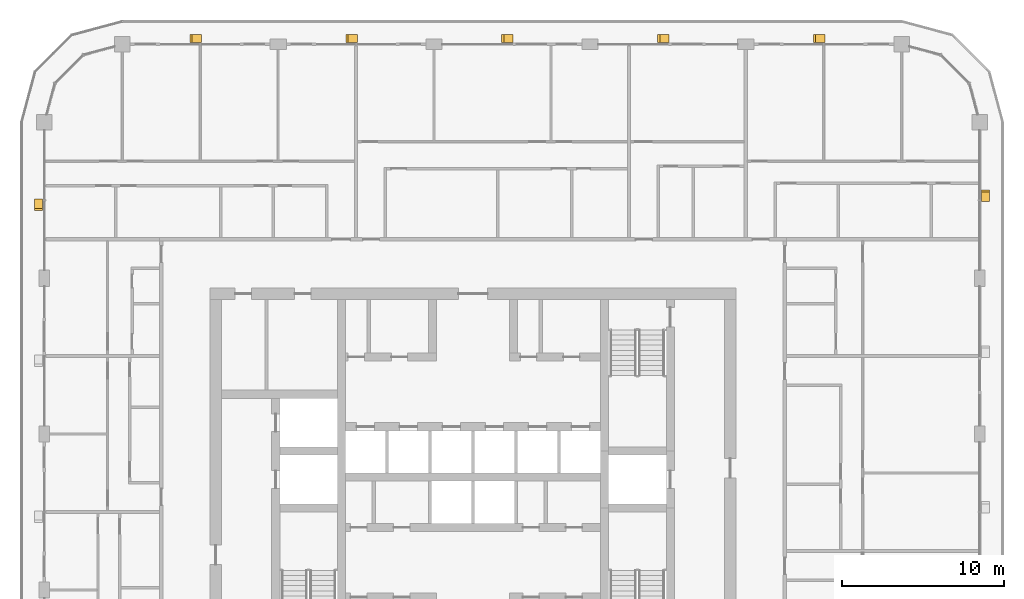
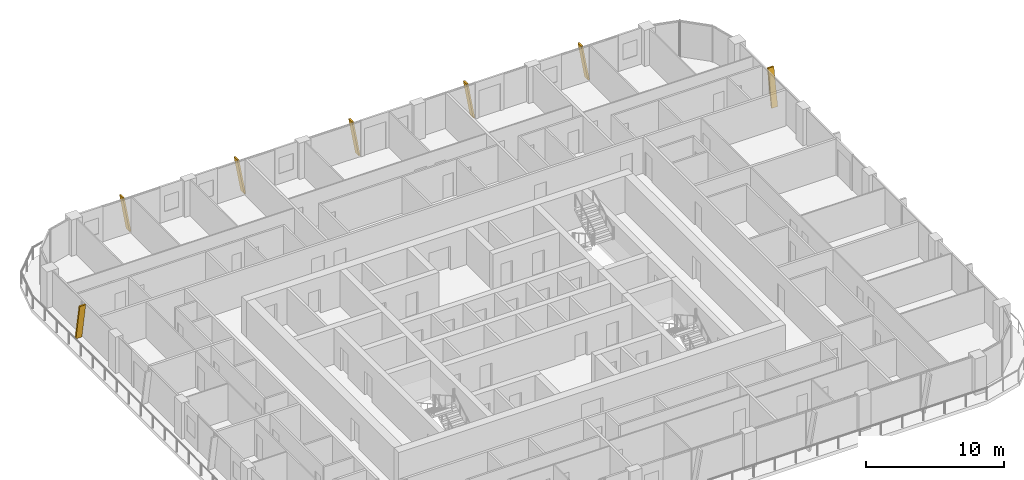
# One storey, part 23 of 23: 7 shading devices.
"""IFC4 building model written with IfcOpenShell, lengths in metres."""

import ifcopenshell
import ifcopenshell.guid

model = None  # the IFC model being written
_history = None  # IfcOwnerHistory: only IFC2X3 demands one
_inside = {}  # id of a spatial element -> (the spatial element, [elements in it])
_under = {}  # id of a project, library or spatial element -> (it, [spatial elements below it])
_declared = {}  # id of a project -> (the project, [libraries it declares])
_typed = {}  # id of a type object -> (the type object, [elements of that type])
_made_of = {}  # id of a material, layer set ... -> (it, [elements and type objects made of it])


def new_model(schema):
    """Start an empty IFC model of exactly this schema.

    Asked for "IFC4X3", IfcOpenShell would pick the latest addendum, in which some entities
    have other attributes; the version numbers below select the first issue.
    IFC2X3 requires an IfcOwnerHistory on every rooted entity: one is made here for all.
    """
    global model, _history
    if schema == "IFC4X3":
        model = ifcopenshell.file(schema_version=(4, 3, 0, 0))
    else:
        model = ifcopenshell.file(schema=schema)
    _inside.clear()
    _under.clear()
    _declared.clear()
    _typed.clear()
    _made_of.clear()
    _history = None
    if model.schema == "IFC2X3":
        org = make("IfcOrganization", Name="unknown")
        user = make(
            "IfcPersonAndOrganization",
            ThePerson=make("IfcPerson", FamilyName="unknown"),
            TheOrganization=org,
        )
        app = make(
            "IfcApplication",
            ApplicationDeveloper=org,
            Version="unknown",
            ApplicationFullName="unknown",
            ApplicationIdentifier="unknown",
        )
        _history = make(
            "IfcOwnerHistory",
            OwningUser=user,
            OwningApplication=app,
            ChangeAction="ADDED",
            CreationDate=0,
        )
    return model


def make(cls, **values):
    """One entity of the class cls with the attributes given. An attribute that is None is left unset."""
    return model.create_entity(
        cls, **{name: value for name, value in values.items() if value is not None}
    )


def rooted(cls, **values):
    """An entity with a GlobalId (a new one), such as an element, a storey or a relation."""
    return make(cls, GlobalId=ifcopenshell.guid.new(), OwnerHistory=_history, **values)


def si_unit(unit_type, name, prefix=None):
    """IfcSIUnit, for example si_unit("LENGTHUNIT", "METRE", prefix="MILLI")."""
    return make("IfcSIUnit", UnitType=unit_type, Prefix=prefix, Name=name)


def assignment(units):
    """IfcUnitAssignment: the units of a project."""
    return None if units is None else make("IfcUnitAssignment", Units=units)


def point(xyz):
    """IfcCartesianPoint."""
    return None if xyz is None else make("IfcCartesianPoint", Coordinates=xyz)


def direction(xyz):
    """IfcDirection."""
    return None if xyz is None else make("IfcDirection", DirectionRatios=xyz)


def frame(location, z_axis=None, x_axis=None):
    """IfcAxis2Placement3D, a coordinate frame: its origin and axes. An axis left out is left unset."""
    return make(
        "IfcAxis2Placement3D",
        Location=point(location),
        Axis=direction(z_axis),
        RefDirection=direction(x_axis),
    )


def origin():
    """The frame at (0, 0, 0) with its axes left unset."""
    return frame((0.0, 0.0, 0.0))


def place(relative_to, where):
    """IfcLocalPlacement: puts the frame where relative to a parent placement (None: the world)."""
    return make(
        "IfcLocalPlacement", PlacementRelTo=relative_to, RelativePlacement=where
    )


def context(
    kind, dimensions, precision=None, world=None, true_north=None, identifier=None
):
    """IfcGeometricRepresentationContext, for example the 3D "Model" context."""
    return make(
        "IfcGeometricRepresentationContext",
        ContextIdentifier=identifier,
        ContextType=kind,
        CoordinateSpaceDimension=dimensions,
        Precision=precision,
        WorldCoordinateSystem=world,
        TrueNorth=true_north,
    )


def subcontext(parent, identifier, kind, view, scale=None):
    """IfcGeometricRepresentationSubContext, for example "Body" below "Model"."""
    return make(
        "IfcGeometricRepresentationSubContext",
        ContextIdentifier=identifier,
        ContextType=kind,
        ParentContext=parent,
        TargetScale=scale,
        TargetView=view,
    )


def project(units=None, contexts=None):
    """IfcProject with its units and contexts."""
    return rooted(
        "IfcProject",
        Name="project",
        RepresentationContexts=contexts,
        UnitsInContext=assignment(units),
    )


def spatial(cls, under=None, at=None, **own):
    """A site, building, storey or space (cls), placed at a placement, below another one or the project."""
    s = rooted(cls, ObjectPlacement=at, **own)
    if under is not None:
        _under.setdefault(under.id(), (under, []))[1].append(s)
    return s


def polyline(points):
    """IfcPolyline through the points."""
    return make("IfcPolyline", Points=[point(p) for p in points])


def outline(outer, holes=None, kind="AREA"):
    """IfcArbitraryClosedProfileDef: a profile drawn as a closed curve; with holes, ...WithVoids."""
    if holes is None:
        return make("IfcArbitraryClosedProfileDef", ProfileType=kind, OuterCurve=outer)
    return make(
        "IfcArbitraryProfileDefWithVoids",
        ProfileType=kind,
        OuterCurve=outer,
        InnerCurves=holes,
    )


def extrude(swept, where, along, depth):
    """IfcExtrudedAreaSolid: the profile swept, set in the frame where, extruded along a direction by depth."""
    return make(
        "IfcExtrudedAreaSolid",
        SweptArea=swept,
        Position=where,
        ExtrudedDirection=direction(along),
        Depth=depth,
    )


def shape(context_of_items, identifier, shape_type, items):
    """IfcShapeRepresentation: the items that make up one representation, for example the "Body"."""
    return make(
        "IfcShapeRepresentation",
        ContextOfItems=context_of_items,
        RepresentationIdentifier=identifier,
        RepresentationType=shape_type,
        Items=items,
    )


def material(Name=None, Category=None):
    """IfcMaterial."""
    return make("IfcMaterial", Name=Name, Category=Category)


def made_of(thing, what):
    """Note that an element or type object is made of a material, layer set ...; save() writes the relation."""
    if what is not None:
        _made_of.setdefault(what.id(), (what, []))[1].append(thing)
    return thing


def type_object(cls, material=None, **own):
    """A type object (cls), such as IfcWallType, which elements share."""
    return made_of(rooted(cls, **own), material)


def element(
    cls,
    number,
    at=None,
    inside=None,
    cuts=None,
    type_object=None,
    material=None,
    context=None,
    identifier="Body",
    shape_type=None,
    held_by="IfcProductDefinitionShape",
    body=None,
    shapes=None,
    **own,
):
    """One element of the class cls, such as IfcWall. Its Tag is "e" and its number.

    at: its placement. inside: the storey or other place that contains it. cuts: it is an
    opening in that element (IfcRelVoidsElement). A single representation is given by context,
    identifier, shape_type and body (its items); several are given by shapes. held_by: the class
    of the entity that holds the representations. save() writes the other relations.
    """
    e = rooted(cls, Tag="e%d" % number, ObjectPlacement=at, **own)
    if body is not None:
        shapes = [shape(context, identifier, shape_type, body)]
    if shapes is not None:
        e.Representation = make(held_by, Representations=shapes)
    if inside is not None:
        _inside.setdefault(inside.id(), (inside, []))[1].append(e)
    if cuts is not None:
        rooted(
            "IfcRelVoidsElement", RelatingBuildingElement=cuts, RelatedOpeningElement=e
        )
    if type_object is not None:
        _typed.setdefault(type_object.id(), (type_object, []))[1].append(e)
    return made_of(e, material)


def aggregate(whole, parts):
    """IfcRelAggregates: a whole, such as a stair, and the parts it consists of."""
    return rooted("IfcRelAggregates", RelatingObject=whole, RelatedObjects=parts)


def save(model, path):
    """Write the relations noted so far, then the file.

    IfcRelAggregates (storeys below a building ...), IfcRelContainedInSpatialStructure (elements
    in a storey), IfcRelDefinesByType, IfcRelAssociatesMaterial and IfcRelDeclares: one each for
    every whole, place, type object, material and project.
    """
    for whole, parts in _under.values():
        aggregate(whole, parts)
    for where, things in _inside.values():
        rooted(
            "IfcRelContainedInSpatialStructure",
            RelatedElements=things,
            RelatingStructure=where,
        )
    for kind, things in _typed.values():
        rooted("IfcRelDefinesByType", RelatedObjects=things, RelatingType=kind)
    for what, things in _made_of.values():
        rooted("IfcRelAssociatesMaterial", RelatedObjects=things, RelatingMaterial=what)
    for by, libraries in _declared.values():
        rooted("IfcRelDeclares", RelatingContext=by, RelatedDefinitions=libraries)
    model.write(path)


model = new_model("IFC4")

# Units and contexts
model_context = context("Model", 3, precision=1e-05, world=origin(), true_north=direction((0.0, 1.0)))
body_context = subcontext(model_context, "Body", "Model", "MODEL_VIEW")
ifc_project = project(units=[si_unit("LENGTHUNIT", "METRE"), si_unit("AREAUNIT", "SQUARE_METRE"), si_unit("VOLUMEUNIT", "CUBIC_METRE"), si_unit("PLANEANGLEUNIT", "RADIAN"), si_unit("MASSUNIT", "GRAM", prefix="KILO")], contexts=[model_context])

# Site, building, storey
site_placement = place(None, origin())
site = spatial("IfcSite", under=ifc_project, at=site_placement, CompositionType="ELEMENT")
building_placement = place(site_placement, origin())
building = spatial("IfcBuilding", under=site, at=building_placement, Name="Madar Terraces", CompositionType="ELEMENT")
storey_placement = place(building_placement, frame((0.0, 0.0, 212.300048828125)))
storey = spatial("IfcBuildingStorey", under=building, at=storey_placement, Name="L55", CompositionType="ELEMENT", Elevation=212.300048828125)

# Shading devices
ifc_material = material(Name="Aluminium, black anodised", Category="aluminium")
shading_device_type = type_object("IfcShadingDeviceType", Name="Facade fin blade 140 x 500", PredefinedType="USERDEFINED", material=ifc_material)
for number, where, z_axis, x_axis, name in (
    (1, (62.75, 43.1298828125, 0.0), (0.0, 0.0, 1.0), (0.0, 1.0, 0.0), "FIN L55 E4"),
    (2, (52.8701171875, 53.14990234375, 0.0), (0.0, 0.0, 1.0), (-1.0, 0.0, 0.0), "FIN L55 N1"),
    (3, (43.27001953125, 53.14990234375, 0.0), (0.0, 0.0, 1.0), (-1.0, 0.0, 0.0), "FIN L55 N2"),
):
    element("IfcShadingDevice", number, at=place(storey_placement, frame(where, z_axis=z_axis, x_axis=x_axis)), inside=storey, type_object=shading_device_type, Name=name, ObjectType="FIN", PredefinedType="USERDEFINED", context=body_context, shape_type="SweptSolid", body=[
        extrude(outline(polyline([(0.0, 0.0), (0.14013671875, 0.0), (0.704345703125, 3.199951171875), (0.564208984375, 3.199951171875), (0.0, 0.0)])), frame((0.0, 0.25, 0.0), z_axis=(0.0, -1.0, 0.0), x_axis=(1.0, 0.0, 0.0)), (0.0, 0.0, 1.0), 0.5),
    ])
shading_device_1_placement = place(storey_placement, frame((33.669921875, 53.14990234375, 0.0), z_axis=(0.0, 0.0, 1.0), x_axis=(-1.0, 0.0, 0.0)))
element("IfcShadingDevice", 4, at=shading_device_1_placement, inside=storey, type_object=shading_device_type, Name="FIN L55 N3", ObjectType="FIN", PredefinedType="USERDEFINED", context=body_context, shape_type="SweptSolid", body=[
    extrude(outline(polyline([(0.0, 0.0), (0.139892578125, 0.0), (0.704345703125, 3.199951171875), (0.564208984375, 3.199951171875), (0.0, 0.0)])), frame((0.0, 0.25, 0.0), z_axis=(0.0, -1.0, 0.0), x_axis=(1.0, 0.0, 0.0)), (0.0, 0.0, 1.0), 0.5),
])
shading_device_2_placement = place(storey_placement, frame((24.070068359375, 53.14990234375, 0.0), z_axis=(0.0, 0.0, 1.0), x_axis=(-1.0, 0.0, 0.0)))
element("IfcShadingDevice", 5, at=shading_device_2_placement, inside=storey, type_object=shading_device_type, Name="FIN L55 N4", ObjectType="FIN", PredefinedType="USERDEFINED", context=body_context, shape_type="SweptSolid", body=[
    extrude(outline(polyline([(0.0, 0.0), (0.14013671875, 0.0), (0.704345703125, 3.199951171875), (0.564208984375, 3.199951171875), (0.0, 0.0)])), frame((0.0, 0.25, 0.0), z_axis=(0.0, -1.0, 0.0), x_axis=(1.0, 0.0, 0.0)), (0.0, 0.0, 1.0), 0.5),
])
shading_device_3_placement = place(storey_placement, frame((14.469970703125, 53.14990234375, 0.0), z_axis=(0.0, 0.0, 1.0), x_axis=(-1.0, 0.0, 0.0)))
element("IfcShadingDevice", 6, at=shading_device_3_placement, inside=storey, type_object=shading_device_type, Name="FIN L55 N5", ObjectType="FIN", PredefinedType="USERDEFINED", context=body_context, shape_type="SweptSolid", body=[
    extrude(outline(polyline([(0.0, 0.0), (0.139892578125, 0.0), (0.704345703125, 3.199951171875), (0.564208984375, 3.199951171875), (0.0, 0.0)])), frame((0.0, 0.25, 0.0), z_axis=(0.0, -1.0, 0.0), x_axis=(1.0, 0.0, 0.0)), (0.0, 0.0, 1.0), 0.5),
])
shading_device_4_placement = place(storey_placement, frame((4.449951171875, 43.27001953125, 0.0), z_axis=(0.0, 0.0, 1.0), x_axis=(0.0, -1.0, 0.0)))
element("IfcShadingDevice", 7, at=shading_device_4_placement, inside=storey, type_object=shading_device_type, Name="FIN L55 W1", ObjectType="FIN", PredefinedType="USERDEFINED", context=body_context, shape_type="SweptSolid", body=[
    extrude(outline(polyline([(0.0, 0.0), (0.14013671875, 0.0), (0.704345703125, 3.199951171875), (0.564208984375, 3.199951171875), (0.0, 0.0)])), frame((0.0, 0.25, 0.0), z_axis=(0.0, -1.0, 0.0), x_axis=(1.0, 0.0, 0.0)), (0.0, 0.0, 1.0), 0.5),
])

save(model, "model.ifc")
